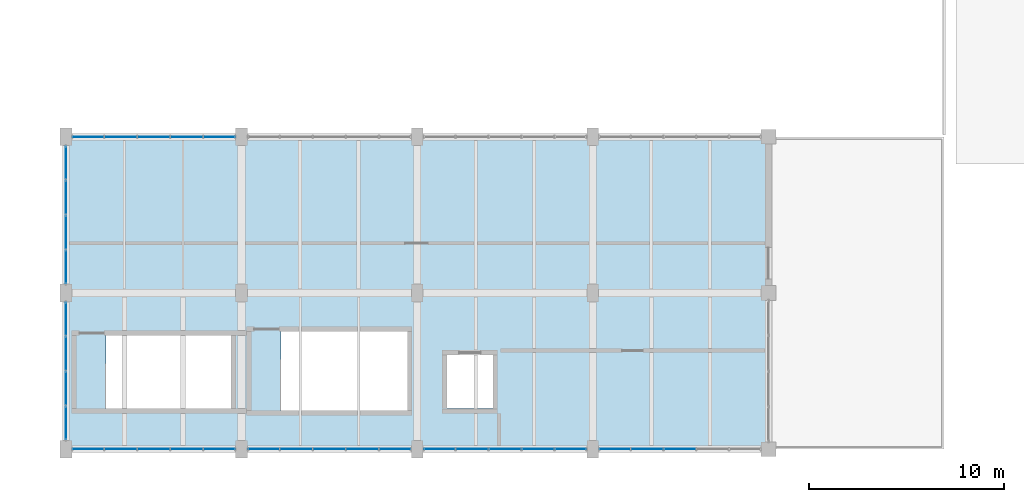
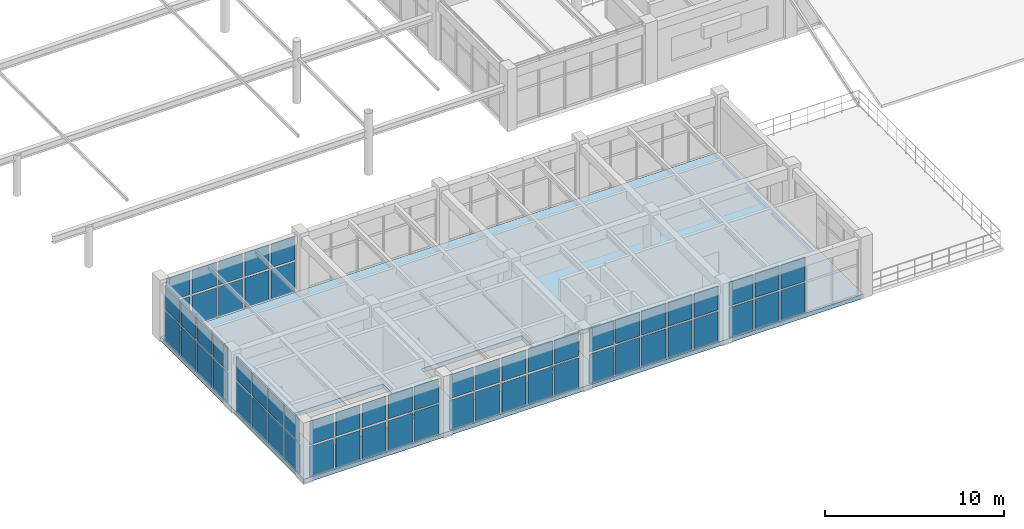
# One storey, part 114 of 148: 62 plates, 1 slab, 7 elements without a shape of their own.
"""IFC4 building model written with IfcOpenShell, lengths in metres."""

from ifc_helpers import new_model, si_unit, derived_unit, direction, frame, origin, origin_2d, place, context, subcontext, project, spatial, polyline, rectangle, outline, extrude, material, layer, layer_set, type_object, element, aggregate, save


model = new_model("IFC4")

# Units and contexts
model_context = context("Model", 3, precision=1e-05, world=origin(), true_north=direction((0.0, 1.0)))
body_context = subcontext(model_context, "Body", "Model", "MODEL_VIEW")
ifc_project = project(units=[si_unit("LENGTHUNIT", "METRE"), si_unit("AREAUNIT", "SQUARE_METRE"), si_unit("VOLUMEUNIT", "CUBIC_METRE"), si_unit("PLANEANGLEUNIT", "RADIAN"), si_unit("MASSUNIT", "GRAM", prefix="KILO"), derived_unit("THERMALTRANSMITTANCEUNIT", [(si_unit("MASSUNIT", "GRAM", prefix="KILO"), 1), (si_unit("TIMEUNIT", "SECOND"), -3), (si_unit("THERMODYNAMICTEMPERATUREUNIT", "KELVIN"), -1)])], contexts=[model_context])

# Site, building, storey
site_placement = place(None, origin())
site = spatial("IfcSite", under=ifc_project, at=site_placement, CompositionType="ELEMENT")
building_placement = place(site_placement, origin())
building = spatial("IfcBuilding", under=site, at=building_placement, Name="Zhenchuan Archway Interchange", CompositionType="ELEMENT")
storey_placement = place(building_placement, frame((0.0, 0.0, 10.199951171875)))
storey = spatial("IfcBuildingStorey", under=building, at=storey_placement, Name="L02", CompositionType="ELEMENT", Elevation=10.199951171875)

# Curtain wall, plates
ifc_material_1 = material(Name="Anodised Aluminium", Category="aluminium")
curtain_wall_type_1 = type_object("IfcCurtainWallType", Name="CW_UNIT_2", PredefinedType="NOTDEFINED", material=ifc_material_1)
curtain_wall_1_placement = place(storey_placement, origin())
curtain_wall_1 = element("IfcCurtainWall", 1, at=curtain_wall_1_placement, inside=storey, type_object=curtain_wall_type_1, Name="Unitised curtain wall CW:L02:105", PredefinedType="NOTDEFINED")
ifc_material_2 = material(Name="Double Low-E Insulated Glazing", Category="glass")
ifc_layer_1 = layer(ifc_material_2, 0.028076171875)
ifc_layer_set_1 = layer_set([ifc_layer_1], Name="Double Low-E Insulated Glazing")
plate_type_1 = type_object("IfcPlateType", Name="CW_GLZ_1", PredefinedType="CURTAIN_PANEL", material=ifc_layer_set_1)
plate_1_placement = place(storey_placement, frame((31.46240234375, 0.0, 0.080078125), z_axis=(0.0, 0.0, 1.0), x_axis=(-1.0, 0.0, 0.0)))
plate_1 = element("IfcPlate", 2, at=plate_1_placement, type_object=plate_type_1, Name="CW:L02:105 lower glazing panel 2", PredefinedType="CURTAIN_PANEL", context=body_context, shape_type="SweptSolid", body=[
    extrude(rectangle(XDim=1.537841796875, YDim=0.028076171875, at=origin_2d()), origin(), (0.0, 0.0, 1.0), 2.01611328125),
])
plate_2_placement = place(storey_placement, frame((29.78466796875, 0.0, 0.080078125), z_axis=(0.0, 0.0, 1.0), x_axis=(-1.0, 0.0, 0.0)))
plate_2 = element("IfcPlate", 3, at=plate_2_placement, type_object=plate_type_1, Name="CW:L02:105 lower glazing panel 3", PredefinedType="CURTAIN_PANEL", context=body_context, shape_type="SweptSolid", body=[
    extrude(rectangle(XDim=1.537841796875, YDim=0.028076171875, at=origin_2d()), origin(), (0.0, 0.0, 1.0), 2.01611328125),
])
plate_3_placement = place(storey_placement, frame((28.116943359375, 0.0, 0.080078125), z_axis=(0.0, 0.0, 1.0), x_axis=(-1.0, 0.0, 0.0)))
plate_3 = element("IfcPlate", 4, at=plate_3_placement, type_object=plate_type_1, Name="CW:L02:105 lower glazing panel 4", PredefinedType="CURTAIN_PANEL", context=body_context, shape_type="SweptSolid", body=[
    extrude(rectangle(XDim=1.517822265625, YDim=0.028076171875, at=origin_2d()), origin(), (0.0, 0.0, 1.0), 2.01611328125),
])

curtain_wall_type_2 = type_object("IfcCurtainWallType", Name="CW_UNIT_3", PredefinedType="NOTDEFINED", material=ifc_material_1)
curtain_wall_2_placement = place(storey_placement, origin())
curtain_wall_2 = element("IfcCurtainWall", 5, at=curtain_wall_2_placement, inside=storey, type_object=curtain_wall_type_2, Name="Unitised curtain wall CW:L02:106", PredefinedType="NOTDEFINED")
plate_4_placement = place(storey_placement, frame((25.87548828125, 0.0, 0.080078125), z_axis=(0.0, 0.0, 1.0), x_axis=(-1.0, 0.0, 0.0)))
plate_4 = element("IfcPlate", 6, at=plate_4_placement, type_object=plate_type_1, Name="CW:L02:106 lower glazing panel 0", PredefinedType="CURTAIN_PANEL", context=body_context, shape_type="SweptSolid", body=[
    extrude(rectangle(XDim=1.53271484375, YDim=0.028076171875, at=origin_2d()), origin(), (0.0, 0.0, 1.0), 2.01611328125),
])
plate_5_placement = place(storey_placement, frame((24.19287109375, 0.0, 0.080078125), z_axis=(0.0, 0.0, 1.0), x_axis=(-1.0, 0.0, 0.0)))
plate_5 = element("IfcPlate", 7, at=plate_5_placement, type_object=plate_type_1, Name="CW:L02:106 lower glazing panel 1", PredefinedType="CURTAIN_PANEL", context=body_context, shape_type="SweptSolid", body=[
    extrude(rectangle(XDim=1.552734375, YDim=0.028076171875, at=origin_2d()), origin(), (0.0, 0.0, 1.0), 2.01611328125),
])
plate_6_placement = place(storey_placement, frame((22.5, 0.0, 0.080078125), z_axis=(0.0, 0.0, 1.0), x_axis=(-1.0, 0.0, 0.0)))
plate_6 = element("IfcPlate", 8, at=plate_6_placement, type_object=plate_type_1, Name="CW:L02:106 lower glazing panel 2", PredefinedType="CURTAIN_PANEL", context=body_context, shape_type="SweptSolid", body=[
    extrude(rectangle(XDim=1.552734375, YDim=0.028076171875, at=origin_2d()), origin(), (0.0, 0.0, 1.0), 2.01611328125),
])
plate_7_placement = place(storey_placement, frame((20.80712890625, 0.0, 0.080078125), z_axis=(0.0, 0.0, 1.0), x_axis=(-1.0, 0.0, 0.0)))
plate_7 = element("IfcPlate", 9, at=plate_7_placement, type_object=plate_type_1, Name="CW:L02:106 lower glazing panel 3", PredefinedType="CURTAIN_PANEL", context=body_context, shape_type="SweptSolid", body=[
    extrude(rectangle(XDim=1.552734375, YDim=0.028076171875, at=origin_2d()), origin(), (0.0, 0.0, 1.0), 2.01611328125),
])
plate_8_placement = place(storey_placement, frame((19.12451171875, 0.0, 0.080078125), z_axis=(0.0, 0.0, 1.0), x_axis=(-1.0, 0.0, 0.0)))
plate_8 = element("IfcPlate", 10, at=plate_8_placement, type_object=plate_type_1, Name="CW:L02:106 lower glazing panel 4", PredefinedType="CURTAIN_PANEL", context=body_context, shape_type="SweptSolid", body=[
    extrude(rectangle(XDim=1.53271484375, YDim=0.028076171875, at=origin_2d()), origin(), (0.0, 0.0, 1.0), 2.01611328125),
])

curtain_wall_type_3 = type_object("IfcCurtainWallType", Name="CW_UNIT_4", PredefinedType="NOTDEFINED", material=ifc_material_1)
curtain_wall_3_placement = place(storey_placement, origin())
curtain_wall_3 = element("IfcCurtainWall", 11, at=curtain_wall_3_placement, inside=storey, type_object=curtain_wall_type_3, Name="Unitised curtain wall CW:L02:107", PredefinedType="NOTDEFINED")
plate_9_placement = place(storey_placement, frame((16.87548828125, 0.0, 0.080078125), z_axis=(0.0, 0.0, 1.0), x_axis=(-1.0, 0.0, 0.0)))
plate_9 = element("IfcPlate", 12, at=plate_9_placement, type_object=plate_type_1, Name="CW:L02:107 lower glazing panel 0", PredefinedType="CURTAIN_PANEL", context=body_context, shape_type="SweptSolid", body=[
    extrude(rectangle(XDim=1.53271484375, YDim=0.028076171875, at=origin_2d()), origin(), (0.0, 0.0, 1.0), 2.01611328125),
])
plate_10_placement = place(storey_placement, frame((15.19287109375, 0.0, 0.080078125), z_axis=(0.0, 0.0, 1.0), x_axis=(-1.0, 0.0, 0.0)))
plate_10 = element("IfcPlate", 13, at=plate_10_placement, type_object=plate_type_1, Name="CW:L02:107 lower glazing panel 1", PredefinedType="CURTAIN_PANEL", context=body_context, shape_type="SweptSolid", body=[
    extrude(rectangle(XDim=1.552734375, YDim=0.028076171875, at=origin_2d()), origin(), (0.0, 0.0, 1.0), 2.01611328125),
])
plate_11_placement = place(storey_placement, frame((13.5, 0.0, 0.080078125), z_axis=(0.0, 0.0, 1.0), x_axis=(-1.0, 0.0, 0.0)))
plate_11 = element("IfcPlate", 14, at=plate_11_placement, type_object=plate_type_1, Name="CW:L02:107 lower glazing panel 2", PredefinedType="CURTAIN_PANEL", context=body_context, shape_type="SweptSolid", body=[
    extrude(rectangle(XDim=1.552734375, YDim=0.028076171875, at=origin_2d()), origin(), (0.0, 0.0, 1.0), 2.01611328125),
])
plate_12_placement = place(storey_placement, frame((11.80712890625, 0.0, 0.080078125), z_axis=(0.0, 0.0, 1.0), x_axis=(-1.0, 0.0, 0.0)))
plate_12 = element("IfcPlate", 15, at=plate_12_placement, type_object=plate_type_1, Name="CW:L02:107 lower glazing panel 3", PredefinedType="CURTAIN_PANEL", context=body_context, shape_type="SweptSolid", body=[
    extrude(rectangle(XDim=1.552734375, YDim=0.028076171875, at=origin_2d()), origin(), (0.0, 0.0, 1.0), 2.01611328125),
])
plate_13_placement = place(storey_placement, frame((10.12451171875, 0.0, 0.080078125), z_axis=(0.0, 0.0, 1.0), x_axis=(-1.0, 0.0, 0.0)))
plate_13 = element("IfcPlate", 16, at=plate_13_placement, type_object=plate_type_1, Name="CW:L02:107 lower glazing panel 4", PredefinedType="CURTAIN_PANEL", context=body_context, shape_type="SweptSolid", body=[
    extrude(rectangle(XDim=1.53271484375, YDim=0.028076171875, at=origin_2d()), origin(), (0.0, 0.0, 1.0), 2.01611328125),
])

curtain_wall_type_4 = type_object("IfcCurtainWallType", Name="CW_UNIT_1", PredefinedType="NOTDEFINED", material=ifc_material_1)
curtain_wall_4_placement = place(storey_placement, origin())
curtain_wall_4 = element("IfcCurtainWall", 17, at=curtain_wall_4_placement, inside=storey, type_object=curtain_wall_type_4, Name="Unitised curtain wall CW:L02:108", PredefinedType="NOTDEFINED")
plate_14_placement = place(storey_placement, frame((7.87548828125, 0.0, 0.080078125), z_axis=(0.0, 0.0, 1.0), x_axis=(-1.0, 0.0, 0.0)))
plate_14 = element("IfcPlate", 18, at=plate_14_placement, type_object=plate_type_1, Name="CW:L02:108 lower glazing panel 0", PredefinedType="CURTAIN_PANEL", context=body_context, shape_type="SweptSolid", body=[
    extrude(rectangle(XDim=1.53271484375, YDim=0.028076171875, at=origin_2d()), origin(), (0.0, 0.0, 1.0), 2.01611328125),
])
plate_15_placement = place(storey_placement, frame((6.19287109375, 0.0, 0.080078125), z_axis=(0.0, 0.0, 1.0), x_axis=(-1.0, 0.0, 0.0)))
plate_15 = element("IfcPlate", 19, at=plate_15_placement, type_object=plate_type_1, Name="CW:L02:108 lower glazing panel 1", PredefinedType="CURTAIN_PANEL", context=body_context, shape_type="SweptSolid", body=[
    extrude(rectangle(XDim=1.552734375, YDim=0.028076171875, at=origin_2d()), origin(), (0.0, 0.0, 1.0), 2.01611328125),
])
plate_16_placement = place(storey_placement, frame((4.5, 0.0, 0.080078125), z_axis=(0.0, 0.0, 1.0), x_axis=(-1.0, 0.0, 0.0)))
plate_16 = element("IfcPlate", 20, at=plate_16_placement, type_object=plate_type_1, Name="CW:L02:108 lower glazing panel 2", PredefinedType="CURTAIN_PANEL", context=body_context, shape_type="SweptSolid", body=[
    extrude(rectangle(XDim=1.552734375, YDim=0.028076171875, at=origin_2d()), origin(), (0.0, 0.0, 1.0), 2.01611328125),
])
plate_17_placement = place(storey_placement, frame((2.80712890625, 0.0, 0.080078125), z_axis=(0.0, 0.0, 1.0), x_axis=(-1.0, 0.0, 0.0)))
plate_17 = element("IfcPlate", 21, at=plate_17_placement, type_object=plate_type_1, Name="CW:L02:108 lower glazing panel 3", PredefinedType="CURTAIN_PANEL", context=body_context, shape_type="SweptSolid", body=[
    extrude(rectangle(XDim=1.552734375, YDim=0.028076171875, at=origin_2d()), origin(), (0.0, 0.0, 1.0), 2.01611328125),
])
plate_18_placement = place(storey_placement, frame((1.12451171875, 0.0, 0.080078125), z_axis=(0.0, 0.0, 1.0), x_axis=(-1.0, 0.0, 0.0)))
plate_18 = element("IfcPlate", 22, at=plate_18_placement, type_object=plate_type_1, Name="CW:L02:108 lower glazing panel 4", PredefinedType="CURTAIN_PANEL", context=body_context, shape_type="SweptSolid", body=[
    extrude(rectangle(XDim=1.53271484375, YDim=0.028076171875, at=origin_2d()), origin(), (0.0, 0.0, 1.0), 2.01611328125),
])

curtain_wall_5_placement = place(storey_placement, origin())
curtain_wall_5 = element("IfcCurtainWall", 23, at=curtain_wall_5_placement, inside=storey, type_object=curtain_wall_type_3, Name="Unitised curtain wall CW:L02:111", PredefinedType="NOTDEFINED")
plate_19_placement = place(storey_placement, frame((1.12451171875, 16.0, 0.080078125), z_axis=(0.0, 0.0, 1.0), x_axis=(1.0, 0.0, 0.0)))
plate_19 = element("IfcPlate", 24, at=plate_19_placement, type_object=plate_type_1, Name="CW:L02:111 lower glazing panel 0", PredefinedType="CURTAIN_PANEL", context=body_context, shape_type="SweptSolid", body=[
    extrude(rectangle(XDim=1.53271484375, YDim=0.028076171875, at=origin_2d()), origin(), (0.0, 0.0, 1.0), 2.01611328125),
])
plate_20_placement = place(storey_placement, frame((2.80712890625, 16.0, 0.080078125), z_axis=(0.0, 0.0, 1.0), x_axis=(1.0, 0.0, 0.0)))
plate_20 = element("IfcPlate", 25, at=plate_20_placement, type_object=plate_type_1, Name="CW:L02:111 lower glazing panel 1", PredefinedType="CURTAIN_PANEL", context=body_context, shape_type="SweptSolid", body=[
    extrude(rectangle(XDim=1.552734375, YDim=0.028076171875, at=origin_2d()), origin(), (0.0, 0.0, 1.0), 2.01611328125),
])
plate_21_placement = place(storey_placement, frame((4.5, 16.0, 0.080078125), z_axis=(0.0, 0.0, 1.0), x_axis=(1.0, 0.0, 0.0)))
plate_21 = element("IfcPlate", 26, at=plate_21_placement, type_object=plate_type_1, Name="CW:L02:111 lower glazing panel 2", PredefinedType="CURTAIN_PANEL", context=body_context, shape_type="SweptSolid", body=[
    extrude(rectangle(XDim=1.552734375, YDim=0.028076171875, at=origin_2d()), origin(), (0.0, 0.0, 1.0), 2.01611328125),
])
plate_22_placement = place(storey_placement, frame((6.19287109375, 16.0, 0.080078125), z_axis=(0.0, 0.0, 1.0), x_axis=(1.0, 0.0, 0.0)))
plate_22 = element("IfcPlate", 27, at=plate_22_placement, type_object=plate_type_1, Name="CW:L02:111 lower glazing panel 3", PredefinedType="CURTAIN_PANEL", context=body_context, shape_type="SweptSolid", body=[
    extrude(rectangle(XDim=1.552734375, YDim=0.028076171875, at=origin_2d()), origin(), (0.0, 0.0, 1.0), 2.01611328125),
])
plate_23_placement = place(storey_placement, frame((7.87548828125, 16.0, 0.080078125), z_axis=(0.0, 0.0, 1.0), x_axis=(1.0, 0.0, 0.0)))
plate_23 = element("IfcPlate", 28, at=plate_23_placement, type_object=plate_type_1, Name="CW:L02:111 lower glazing panel 4", PredefinedType="CURTAIN_PANEL", context=body_context, shape_type="SweptSolid", body=[
    extrude(rectangle(XDim=1.53271484375, YDim=0.028076171875, at=origin_2d()), origin(), (0.0, 0.0, 1.0), 2.01611328125),
])

# Plate
ifc_layer_2 = layer(ifc_material_2, 0.02587890625)
ifc_layer_set_2 = layer_set([ifc_layer_2], Name="Double Low-E Insulated Glazing")
plate_type_2 = type_object("IfcPlateType", Name="CW_GLZ_2", PredefinedType="CURTAIN_PANEL", material=ifc_layer_set_2)
plate_24_placement = place(storey_placement, frame((31.46240234375, 0.0, 2.216064453125), z_axis=(0.0, 0.0, 1.0), x_axis=(-1.0, 0.0, 0.0)))
plate_24 = element("IfcPlate", 29, at=plate_24_placement, type_object=plate_type_2, Name="CW:L02:105 upper glazing panel 2", PredefinedType="CURTAIN_PANEL", context=body_context, shape_type="SweptSolid", body=[
    extrude(rectangle(XDim=1.537841796875, YDim=0.02587890625, at=origin_2d()), origin(), (0.0, 0.0, 1.0), 1.6240234375),
])

plate_25_placement = place(storey_placement, frame((29.78466796875, 0.0, 2.216064453125), z_axis=(0.0, 0.0, 1.0), x_axis=(-1.0, 0.0, 0.0)))
plate_25 = element("IfcPlate", 30, at=plate_25_placement, type_object=plate_type_2, Name="CW:L02:105 upper glazing panel 3", PredefinedType="CURTAIN_PANEL", context=body_context, shape_type="SweptSolid", body=[
    extrude(rectangle(XDim=1.537841796875, YDim=0.02587890625, at=origin_2d()), origin(), (0.0, 0.0, 1.0), 1.6240234375),
])

plate_26_placement = place(storey_placement, frame((28.116943359375, 0.0, 2.216064453125), z_axis=(0.0, 0.0, 1.0), x_axis=(-1.0, 0.0, 0.0)))
plate_26 = element("IfcPlate", 31, at=plate_26_placement, type_object=plate_type_2, Name="CW:L02:105 upper glazing panel 4", PredefinedType="CURTAIN_PANEL", context=body_context, shape_type="SweptSolid", body=[
    extrude(rectangle(XDim=1.517822265625, YDim=0.02587890625, at=origin_2d()), origin(), (0.0, 0.0, 1.0), 1.6240234375),
])

aggregate(curtain_wall_1, [plate_1, plate_24, plate_2, plate_25, plate_3, plate_26])

plate_27_placement = place(storey_placement, frame((25.87548828125, 0.0, 2.216064453125), z_axis=(0.0, 0.0, 1.0), x_axis=(-1.0, 0.0, 0.0)))
plate_27 = element("IfcPlate", 32, at=plate_27_placement, type_object=plate_type_2, Name="CW:L02:106 upper glazing panel 0", PredefinedType="CURTAIN_PANEL", context=body_context, shape_type="SweptSolid", body=[
    extrude(rectangle(XDim=1.53271484375, YDim=0.02587890625, at=origin_2d()), origin(), (0.0, 0.0, 1.0), 1.6240234375),
])

plate_28_placement = place(storey_placement, frame((24.19287109375, 0.0, 2.216064453125), z_axis=(0.0, 0.0, 1.0), x_axis=(-1.0, 0.0, 0.0)))
plate_28 = element("IfcPlate", 33, at=plate_28_placement, type_object=plate_type_2, Name="CW:L02:106 upper glazing panel 1", PredefinedType="CURTAIN_PANEL", context=body_context, shape_type="SweptSolid", body=[
    extrude(rectangle(XDim=1.552734375, YDim=0.02587890625, at=origin_2d()), origin(), (0.0, 0.0, 1.0), 1.6240234375),
])

plate_29_placement = place(storey_placement, frame((22.5, 0.0, 2.216064453125), z_axis=(0.0, 0.0, 1.0), x_axis=(-1.0, 0.0, 0.0)))
plate_29 = element("IfcPlate", 34, at=plate_29_placement, type_object=plate_type_2, Name="CW:L02:106 upper glazing panel 2", PredefinedType="CURTAIN_PANEL", context=body_context, shape_type="SweptSolid", body=[
    extrude(rectangle(XDim=1.552734375, YDim=0.02587890625, at=origin_2d()), origin(), (0.0, 0.0, 1.0), 1.6240234375),
])

plate_30_placement = place(storey_placement, frame((20.80712890625, 0.0, 2.216064453125), z_axis=(0.0, 0.0, 1.0), x_axis=(-1.0, 0.0, 0.0)))
plate_30 = element("IfcPlate", 35, at=plate_30_placement, type_object=plate_type_2, Name="CW:L02:106 upper glazing panel 3", PredefinedType="CURTAIN_PANEL", context=body_context, shape_type="SweptSolid", body=[
    extrude(rectangle(XDim=1.552734375, YDim=0.02587890625, at=origin_2d()), origin(), (0.0, 0.0, 1.0), 1.6240234375),
])

plate_31_placement = place(storey_placement, frame((19.12451171875, 0.0, 2.216064453125), z_axis=(0.0, 0.0, 1.0), x_axis=(-1.0, 0.0, 0.0)))
plate_31 = element("IfcPlate", 36, at=plate_31_placement, type_object=plate_type_2, Name="CW:L02:106 upper glazing panel 4", PredefinedType="CURTAIN_PANEL", context=body_context, shape_type="SweptSolid", body=[
    extrude(rectangle(XDim=1.53271484375, YDim=0.02587890625, at=origin_2d()), origin(), (0.0, 0.0, 1.0), 1.6240234375),
])

aggregate(curtain_wall_2, [plate_4, plate_27, plate_5, plate_28, plate_6, plate_29, plate_7, plate_30, plate_8, plate_31])

plate_32_placement = place(storey_placement, frame((16.87548828125, 0.0, 2.216064453125), z_axis=(0.0, 0.0, 1.0), x_axis=(-1.0, 0.0, 0.0)))
plate_32 = element("IfcPlate", 37, at=plate_32_placement, type_object=plate_type_2, Name="CW:L02:107 upper glazing panel 0", PredefinedType="CURTAIN_PANEL", context=body_context, shape_type="SweptSolid", body=[
    extrude(rectangle(XDim=1.53271484375, YDim=0.02587890625, at=origin_2d()), origin(), (0.0, 0.0, 1.0), 1.6240234375),
])

plate_33_placement = place(storey_placement, frame((15.19287109375, 0.0, 2.216064453125), z_axis=(0.0, 0.0, 1.0), x_axis=(-1.0, 0.0, 0.0)))
plate_33 = element("IfcPlate", 38, at=plate_33_placement, type_object=plate_type_2, Name="CW:L02:107 upper glazing panel 1", PredefinedType="CURTAIN_PANEL", context=body_context, shape_type="SweptSolid", body=[
    extrude(rectangle(XDim=1.552734375, YDim=0.02587890625, at=origin_2d()), origin(), (0.0, 0.0, 1.0), 1.6240234375),
])

plate_34_placement = place(storey_placement, frame((13.5, 0.0, 2.216064453125), z_axis=(0.0, 0.0, 1.0), x_axis=(-1.0, 0.0, 0.0)))
plate_34 = element("IfcPlate", 39, at=plate_34_placement, type_object=plate_type_2, Name="CW:L02:107 upper glazing panel 2", PredefinedType="CURTAIN_PANEL", context=body_context, shape_type="SweptSolid", body=[
    extrude(rectangle(XDim=1.552734375, YDim=0.02587890625, at=origin_2d()), origin(), (0.0, 0.0, 1.0), 1.6240234375),
])

plate_35_placement = place(storey_placement, frame((11.80712890625, 0.0, 2.216064453125), z_axis=(0.0, 0.0, 1.0), x_axis=(-1.0, 0.0, 0.0)))
plate_35 = element("IfcPlate", 40, at=plate_35_placement, type_object=plate_type_2, Name="CW:L02:107 upper glazing panel 3", PredefinedType="CURTAIN_PANEL", context=body_context, shape_type="SweptSolid", body=[
    extrude(rectangle(XDim=1.552734375, YDim=0.02587890625, at=origin_2d()), origin(), (0.0, 0.0, 1.0), 1.6240234375),
])

plate_36_placement = place(storey_placement, frame((10.12451171875, 0.0, 2.216064453125), z_axis=(0.0, 0.0, 1.0), x_axis=(-1.0, 0.0, 0.0)))
plate_36 = element("IfcPlate", 41, at=plate_36_placement, type_object=plate_type_2, Name="CW:L02:107 upper glazing panel 4", PredefinedType="CURTAIN_PANEL", context=body_context, shape_type="SweptSolid", body=[
    extrude(rectangle(XDim=1.53271484375, YDim=0.02587890625, at=origin_2d()), origin(), (0.0, 0.0, 1.0), 1.6240234375),
])

aggregate(curtain_wall_3, [plate_9, plate_32, plate_10, plate_33, plate_11, plate_34, plate_12, plate_35, plate_13, plate_36])

plate_37_placement = place(storey_placement, frame((7.87548828125, 0.0, 2.216064453125), z_axis=(0.0, 0.0, 1.0), x_axis=(-1.0, 0.0, 0.0)))
plate_37 = element("IfcPlate", 42, at=plate_37_placement, type_object=plate_type_2, Name="CW:L02:108 upper glazing panel 0", PredefinedType="CURTAIN_PANEL", context=body_context, shape_type="SweptSolid", body=[
    extrude(rectangle(XDim=1.53271484375, YDim=0.02587890625, at=origin_2d()), origin(), (0.0, 0.0, 1.0), 1.6240234375),
])

plate_38_placement = place(storey_placement, frame((6.19287109375, 0.0, 2.216064453125), z_axis=(0.0, 0.0, 1.0), x_axis=(-1.0, 0.0, 0.0)))
plate_38 = element("IfcPlate", 43, at=plate_38_placement, type_object=plate_type_2, Name="CW:L02:108 upper glazing panel 1", PredefinedType="CURTAIN_PANEL", context=body_context, shape_type="SweptSolid", body=[
    extrude(rectangle(XDim=1.552734375, YDim=0.02587890625, at=origin_2d()), origin(), (0.0, 0.0, 1.0), 1.6240234375),
])

plate_39_placement = place(storey_placement, frame((4.5, 0.0, 2.216064453125), z_axis=(0.0, 0.0, 1.0), x_axis=(-1.0, 0.0, 0.0)))
plate_39 = element("IfcPlate", 44, at=plate_39_placement, type_object=plate_type_2, Name="CW:L02:108 upper glazing panel 2", PredefinedType="CURTAIN_PANEL", context=body_context, shape_type="SweptSolid", body=[
    extrude(rectangle(XDim=1.552734375, YDim=0.02587890625, at=origin_2d()), origin(), (0.0, 0.0, 1.0), 1.6240234375),
])

plate_40_placement = place(storey_placement, frame((2.80712890625, 0.0, 2.216064453125), z_axis=(0.0, 0.0, 1.0), x_axis=(-1.0, 0.0, 0.0)))
plate_40 = element("IfcPlate", 45, at=plate_40_placement, type_object=plate_type_2, Name="CW:L02:108 upper glazing panel 3", PredefinedType="CURTAIN_PANEL", context=body_context, shape_type="SweptSolid", body=[
    extrude(rectangle(XDim=1.552734375, YDim=0.02587890625, at=origin_2d()), origin(), (0.0, 0.0, 1.0), 1.6240234375),
])

plate_41_placement = place(storey_placement, frame((1.12451171875, 0.0, 2.216064453125), z_axis=(0.0, 0.0, 1.0), x_axis=(-1.0, 0.0, 0.0)))
plate_41 = element("IfcPlate", 46, at=plate_41_placement, type_object=plate_type_2, Name="CW:L02:108 upper glazing panel 4", PredefinedType="CURTAIN_PANEL", context=body_context, shape_type="SweptSolid", body=[
    extrude(rectangle(XDim=1.53271484375, YDim=0.02587890625, at=origin_2d()), origin(), (0.0, 0.0, 1.0), 1.6240234375),
])

aggregate(curtain_wall_4, [plate_14, plate_37, plate_15, plate_38, plate_16, plate_39, plate_17, plate_40, plate_18, plate_41])

plate_42_placement = place(storey_placement, frame((1.12451171875, 16.0, 2.216064453125), z_axis=(0.0, 0.0, 1.0), x_axis=(1.0, 0.0, 0.0)))
plate_42 = element("IfcPlate", 47, at=plate_42_placement, type_object=plate_type_2, Name="CW:L02:111 upper glazing panel 0", PredefinedType="CURTAIN_PANEL", context=body_context, shape_type="SweptSolid", body=[
    extrude(rectangle(XDim=1.53271484375, YDim=0.02587890625, at=origin_2d()), origin(), (0.0, 0.0, 1.0), 1.6240234375),
])

plate_43_placement = place(storey_placement, frame((2.80712890625, 16.0, 2.216064453125), z_axis=(0.0, 0.0, 1.0), x_axis=(1.0, 0.0, 0.0)))
plate_43 = element("IfcPlate", 48, at=plate_43_placement, type_object=plate_type_2, Name="CW:L02:111 upper glazing panel 1", PredefinedType="CURTAIN_PANEL", context=body_context, shape_type="SweptSolid", body=[
    extrude(rectangle(XDim=1.552734375, YDim=0.02587890625, at=origin_2d()), origin(), (0.0, 0.0, 1.0), 1.6240234375),
])

plate_44_placement = place(storey_placement, frame((4.5, 16.0, 2.216064453125), z_axis=(0.0, 0.0, 1.0), x_axis=(1.0, 0.0, 0.0)))
plate_44 = element("IfcPlate", 49, at=plate_44_placement, type_object=plate_type_2, Name="CW:L02:111 upper glazing panel 2", PredefinedType="CURTAIN_PANEL", context=body_context, shape_type="SweptSolid", body=[
    extrude(rectangle(XDim=1.552734375, YDim=0.02587890625, at=origin_2d()), origin(), (0.0, 0.0, 1.0), 1.6240234375),
])

plate_45_placement = place(storey_placement, frame((6.19287109375, 16.0, 2.216064453125), z_axis=(0.0, 0.0, 1.0), x_axis=(1.0, 0.0, 0.0)))
plate_45 = element("IfcPlate", 50, at=plate_45_placement, type_object=plate_type_2, Name="CW:L02:111 upper glazing panel 3", PredefinedType="CURTAIN_PANEL", context=body_context, shape_type="SweptSolid", body=[
    extrude(rectangle(XDim=1.552734375, YDim=0.02587890625, at=origin_2d()), origin(), (0.0, 0.0, 1.0), 1.6240234375),
])

plate_46_placement = place(storey_placement, frame((7.87548828125, 16.0, 2.216064453125), z_axis=(0.0, 0.0, 1.0), x_axis=(1.0, 0.0, 0.0)))
plate_46 = element("IfcPlate", 51, at=plate_46_placement, type_object=plate_type_2, Name="CW:L02:111 upper glazing panel 4", PredefinedType="CURTAIN_PANEL", context=body_context, shape_type="SweptSolid", body=[
    extrude(rectangle(XDim=1.53271484375, YDim=0.02587890625, at=origin_2d()), origin(), (0.0, 0.0, 1.0), 1.6240234375),
])

aggregate(curtain_wall_5, [plate_19, plate_42, plate_20, plate_43, plate_21, plate_44, plate_22, plate_45, plate_23, plate_46])

# Curtain wall, plates
curtain_wall_6_placement = place(storey_placement, origin())
curtain_wall_6 = element("IfcCurtainWall", 52, at=curtain_wall_6_placement, inside=storey, type_object=curtain_wall_type_1, Name="Unitised curtain wall CW:L02:109", PredefinedType="NOTDEFINED")
ifc_layer_3 = layer(ifc_material_2, 0.030029296875)
ifc_layer_set_3 = layer_set([ifc_layer_3], Name="Double Low-E Insulated Glazing")
plate_type_3 = type_object("IfcPlateType", Name="CW_GLZ_3", PredefinedType="CURTAIN_PANEL", material=ifc_layer_set_3)
plate_47_placement = place(storey_placement, frame((0.0, 1.323486328125, 0.080078125), z_axis=(0.0, 0.0, 1.0), x_axis=(0.0, 1.0, 0.0)))
plate_47 = element("IfcPlate", 53, at=plate_47_placement, type_object=plate_type_3, Name="CW:L02:109 lower glazing panel 0", PredefinedType="CURTAIN_PANEL", context=body_context, shape_type="SweptSolid", body=[
    extrude(rectangle(XDim=1.631103515625, YDim=0.028076171875, at=origin_2d()), origin(), (0.0, 0.0, 1.0), 2.01611328125),
])
plate_48_placement = place(storey_placement, frame((0.0, 3.1044921875, 0.080078125), z_axis=(0.0, 0.0, 1.0), x_axis=(0.0, 1.0, 0.0)))
plate_48 = element("IfcPlate", 54, at=plate_48_placement, type_object=plate_type_3, Name="CW:L02:109 lower glazing panel 1", PredefinedType="CURTAIN_PANEL", context=body_context, shape_type="SweptSolid", body=[
    extrude(rectangle(XDim=1.65087890625, YDim=0.028076171875, at=origin_2d()), origin(), (0.0, 0.0, 1.0), 2.01611328125),
])
plate_49_placement = place(storey_placement, frame((0.0, 4.8955078125, 0.080078125), z_axis=(0.0, 0.0, 1.0), x_axis=(0.0, 1.0, 0.0)))
plate_49 = element("IfcPlate", 55, at=plate_49_placement, type_object=plate_type_3, Name="CW:L02:109 lower glazing panel 2", PredefinedType="CURTAIN_PANEL", context=body_context, shape_type="SweptSolid", body=[
    extrude(rectangle(XDim=1.65087890625, YDim=0.028076171875, at=origin_2d()), origin(), (0.0, 0.0, 1.0), 2.01611328125),
])
plate_50_placement = place(storey_placement, frame((0.0, 6.676513671875, 0.080078125), z_axis=(0.0, 0.0, 1.0), x_axis=(0.0, 1.0, 0.0)))
plate_50 = element("IfcPlate", 56, at=plate_50_placement, type_object=plate_type_3, Name="CW:L02:109 lower glazing panel 3", PredefinedType="CURTAIN_PANEL", context=body_context, shape_type="SweptSolid", body=[
    extrude(rectangle(XDim=1.631103515625, YDim=0.028076171875, at=origin_2d()), origin(), (0.0, 0.0, 1.0), 2.01611328125),
])

curtain_wall_7_placement = place(storey_placement, origin())
curtain_wall_7 = element("IfcCurtainWall", 57, at=curtain_wall_7_placement, inside=storey, type_object=curtain_wall_type_2, Name="Unitised curtain wall CW:L02:110", PredefinedType="NOTDEFINED")
plate_51_placement = place(storey_placement, frame((0.0, 9.323486328125, 0.080078125), z_axis=(0.0, 0.0, 1.0), x_axis=(0.0, 1.0, 0.0)))
plate_51 = element("IfcPlate", 58, at=plate_51_placement, type_object=plate_type_3, Name="CW:L02:110 lower glazing panel 0", PredefinedType="CURTAIN_PANEL", context=body_context, shape_type="SweptSolid", body=[
    extrude(rectangle(XDim=1.631103515625, YDim=0.028076171875, at=origin_2d()), origin(), (0.0, 0.0, 1.0), 2.01611328125),
])
plate_52_placement = place(storey_placement, frame((0.0, 11.1044921875, 0.080078125), z_axis=(0.0, 0.0, 1.0), x_axis=(0.0, 1.0, 0.0)))
plate_52 = element("IfcPlate", 59, at=plate_52_placement, type_object=plate_type_3, Name="CW:L02:110 lower glazing panel 1", PredefinedType="CURTAIN_PANEL", context=body_context, shape_type="SweptSolid", body=[
    extrude(rectangle(XDim=1.65087890625, YDim=0.028076171875, at=origin_2d()), origin(), (0.0, 0.0, 1.0), 2.01611328125),
])
plate_53_placement = place(storey_placement, frame((0.0, 12.8955078125, 0.080078125), z_axis=(0.0, 0.0, 1.0), x_axis=(0.0, 1.0, 0.0)))
plate_53 = element("IfcPlate", 60, at=plate_53_placement, type_object=plate_type_3, Name="CW:L02:110 lower glazing panel 2", PredefinedType="CURTAIN_PANEL", context=body_context, shape_type="SweptSolid", body=[
    extrude(rectangle(XDim=1.65087890625, YDim=0.028076171875, at=origin_2d()), origin(), (0.0, 0.0, 1.0), 2.01611328125),
])
plate_54_placement = place(storey_placement, frame((0.0, 14.676513671875, 0.080078125), z_axis=(0.0, 0.0, 1.0), x_axis=(0.0, 1.0, 0.0)))
plate_54 = element("IfcPlate", 61, at=plate_54_placement, type_object=plate_type_3, Name="CW:L02:110 lower glazing panel 3", PredefinedType="CURTAIN_PANEL", context=body_context, shape_type="SweptSolid", body=[
    extrude(rectangle(XDim=1.631103515625, YDim=0.028076171875, at=origin_2d()), origin(), (0.0, 0.0, 1.0), 2.01611328125),
])

# Plate
ifc_layer_4 = layer(ifc_material_2, 0.02392578125)
ifc_layer_set_4 = layer_set([ifc_layer_4], Name="Double Low-E Insulated Glazing")
plate_type_4 = type_object("IfcPlateType", Name="CW_GLZ_4", PredefinedType="CURTAIN_PANEL", material=ifc_layer_set_4)
plate_55_placement = place(storey_placement, frame((0.0, 1.323486328125, 2.216064453125), z_axis=(0.0, 0.0, 1.0), x_axis=(0.0, 1.0, 0.0)))
plate_55 = element("IfcPlate", 62, at=plate_55_placement, type_object=plate_type_4, Name="CW:L02:109 upper glazing panel 0", PredefinedType="CURTAIN_PANEL", context=body_context, shape_type="SweptSolid", body=[
    extrude(rectangle(XDim=1.631103515625, YDim=0.02587890625, at=origin_2d()), origin(), (0.0, 0.0, 1.0), 1.6240234375),
])

plate_56_placement = place(storey_placement, frame((0.0, 3.1044921875, 2.216064453125), z_axis=(0.0, 0.0, 1.0), x_axis=(0.0, 1.0, 0.0)))
plate_56 = element("IfcPlate", 63, at=plate_56_placement, type_object=plate_type_4, Name="CW:L02:109 upper glazing panel 1", PredefinedType="CURTAIN_PANEL", context=body_context, shape_type="SweptSolid", body=[
    extrude(rectangle(XDim=1.65087890625, YDim=0.02587890625, at=origin_2d()), origin(), (0.0, 0.0, 1.0), 1.6240234375),
])

plate_57_placement = place(storey_placement, frame((0.0, 4.8955078125, 2.216064453125), z_axis=(0.0, 0.0, 1.0), x_axis=(0.0, 1.0, 0.0)))
plate_57 = element("IfcPlate", 64, at=plate_57_placement, type_object=plate_type_4, Name="CW:L02:109 upper glazing panel 2", PredefinedType="CURTAIN_PANEL", context=body_context, shape_type="SweptSolid", body=[
    extrude(rectangle(XDim=1.65087890625, YDim=0.02587890625, at=origin_2d()), origin(), (0.0, 0.0, 1.0), 1.6240234375),
])

plate_58_placement = place(storey_placement, frame((0.0, 6.676513671875, 2.216064453125), z_axis=(0.0, 0.0, 1.0), x_axis=(0.0, 1.0, 0.0)))
plate_58 = element("IfcPlate", 65, at=plate_58_placement, type_object=plate_type_4, Name="CW:L02:109 upper glazing panel 3", PredefinedType="CURTAIN_PANEL", context=body_context, shape_type="SweptSolid", body=[
    extrude(rectangle(XDim=1.631103515625, YDim=0.02587890625, at=origin_2d()), origin(), (0.0, 0.0, 1.0), 1.6240234375),
])

aggregate(curtain_wall_6, [plate_47, plate_55, plate_48, plate_56, plate_49, plate_57, plate_50, plate_58])

plate_59_placement = place(storey_placement, frame((0.0, 9.323486328125, 2.216064453125), z_axis=(0.0, 0.0, 1.0), x_axis=(0.0, 1.0, 0.0)))
plate_59 = element("IfcPlate", 66, at=plate_59_placement, type_object=plate_type_4, Name="CW:L02:110 upper glazing panel 0", PredefinedType="CURTAIN_PANEL", context=body_context, shape_type="SweptSolid", body=[
    extrude(rectangle(XDim=1.631103515625, YDim=0.02587890625, at=origin_2d()), origin(), (0.0, 0.0, 1.0), 1.6240234375),
])

plate_60_placement = place(storey_placement, frame((0.0, 11.1044921875, 2.216064453125), z_axis=(0.0, 0.0, 1.0), x_axis=(0.0, 1.0, 0.0)))
plate_60 = element("IfcPlate", 67, at=plate_60_placement, type_object=plate_type_4, Name="CW:L02:110 upper glazing panel 1", PredefinedType="CURTAIN_PANEL", context=body_context, shape_type="SweptSolid", body=[
    extrude(rectangle(XDim=1.65087890625, YDim=0.02587890625, at=origin_2d()), origin(), (0.0, 0.0, 1.0), 1.6240234375),
])

plate_61_placement = place(storey_placement, frame((0.0, 12.8955078125, 2.216064453125), z_axis=(0.0, 0.0, 1.0), x_axis=(0.0, 1.0, 0.0)))
plate_61 = element("IfcPlate", 68, at=plate_61_placement, type_object=plate_type_4, Name="CW:L02:110 upper glazing panel 2", PredefinedType="CURTAIN_PANEL", context=body_context, shape_type="SweptSolid", body=[
    extrude(rectangle(XDim=1.65087890625, YDim=0.02587890625, at=origin_2d()), origin(), (0.0, 0.0, 1.0), 1.6240234375),
])

plate_62_placement = place(storey_placement, frame((0.0, 14.676513671875, 2.216064453125), z_axis=(0.0, 0.0, 1.0), x_axis=(0.0, 1.0, 0.0)))
plate_62 = element("IfcPlate", 69, at=plate_62_placement, type_object=plate_type_4, Name="CW:L02:110 upper glazing panel 3", PredefinedType="CURTAIN_PANEL", context=body_context, shape_type="SweptSolid", body=[
    extrude(rectangle(XDim=1.631103515625, YDim=0.02587890625, at=origin_2d()), origin(), (0.0, 0.0, 1.0), 1.6240234375),
])

aggregate(curtain_wall_7, [plate_51, plate_59, plate_52, plate_60, plate_53, plate_61, plate_54, plate_62])

# Slab
ifc_material_3 = material(Name="Concrete C35", Category="concrete")
ifc_layer_5 = layer(ifc_material_3, 0.2900390625)
ifc_layer_set_5 = layer_set([ifc_layer_5], Name="Concrete C35")
slab_type = type_object("IfcSlabType", Name="SLB_FLR_290", PredefinedType="FLOOR", material=ifc_layer_set_5)
slab_placement = place(storey_placement, frame((0.0, 0.0, -0.2900390625)))
element("IfcSlab", 70, at=slab_placement, inside=storey, type_object=slab_type, Name="Structural slab L02 CYC-L2", PredefinedType="FLOOR", context=body_context, shape_type="SweptSolid", body=[
    extrude(outline(polyline([(36.0, 16.0), (36.0, 0.0), (0.0, 0.0), (0.0, 16.0), (36.0, 16.0)]), holes=[polyline([(11.02490234375, 6.02490234375), (11.02490234375, 1.97509765625), (17.4951171875, 1.97509765625), (17.4951171875, 6.02490234375), (11.02490234375, 6.02490234375)]), polyline([(8.455078125, 5.824951171875), (2.06494140625, 5.824951171875), (2.06494140625, 2.074951171875), (8.455078125, 2.074951171875), (8.455078125, 5.824951171875)]), polyline([(21.8798828125, 2.070068359375), (21.8798828125, 4.830078125), (19.52001953125, 4.830078125), (19.52001953125, 2.070068359375), (21.8798828125, 2.070068359375)])]), origin(), (0.0, 0.0, 1.0), 0.2900390625),
])

save(model, "model.ifc")
